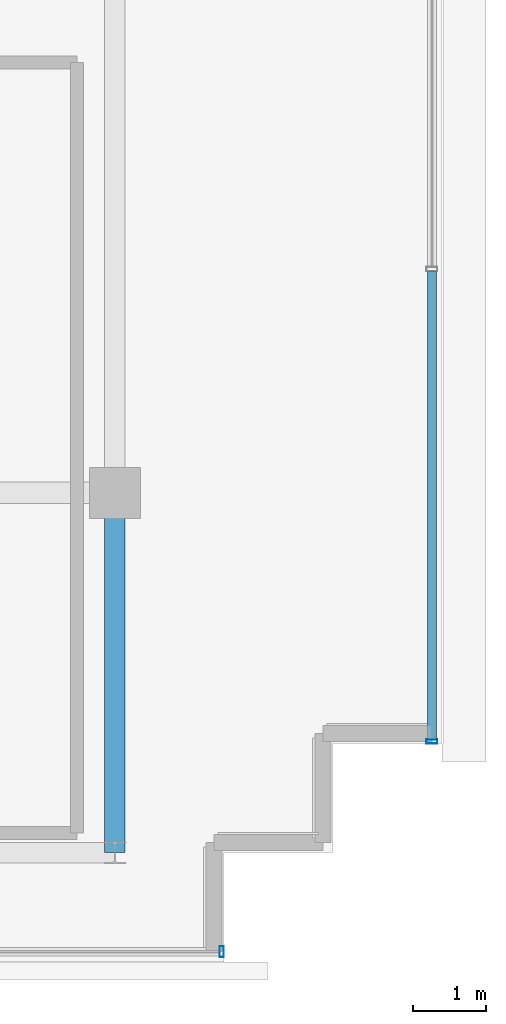
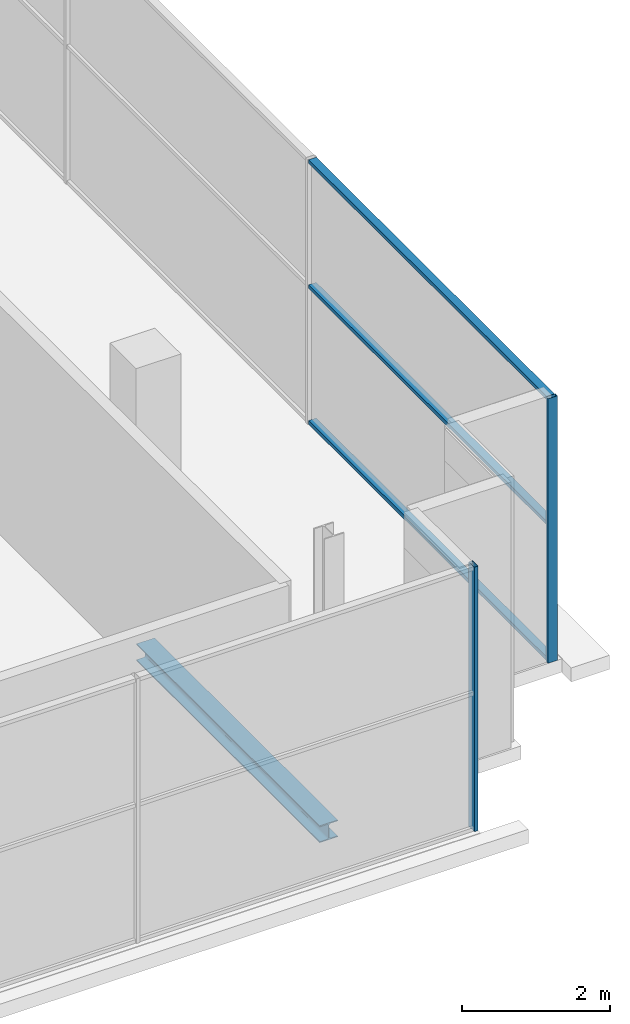
# One storey, part 15 of 26: 5 members, 1 beam, 2 elements without a shape of their own.
"""IFC4 building model written with IfcOpenShell, lengths in metres."""

from ifc_helpers import new_model, si_unit, direction, frame, origin, origin_2d, place, context, subcontext, project, spatial, hollow_rectangle, i_section, extrude, source, transform, mapped, material, layer, layer_set, material_profile, profile_set, type_object, element, aggregate, save


model = new_model("IFC4")

# Units and contexts
model_context = context("Model", 3, precision=1e-05, world=origin(), true_north=direction((0.0, 1.0)))
body_context = subcontext(model_context, "Body", "Model", "MODEL_VIEW")
ifc_project = project(units=[si_unit("LENGTHUNIT", "METRE"), si_unit("AREAUNIT", "SQUARE_METRE"), si_unit("VOLUMEUNIT", "CUBIC_METRE"), si_unit("PLANEANGLEUNIT", "RADIAN"), si_unit("MASSUNIT", "GRAM", prefix="KILO")], contexts=[model_context])

# Site, building, storey
site_placement = place(None, origin())
site = spatial("IfcSite", under=ifc_project, at=site_placement, CompositionType="ELEMENT")
building_placement = place(site_placement, origin())
building = spatial("IfcBuilding", under=site, at=building_placement, Name="Zarnakvel Exchange Tower", CompositionType="ELEMENT")
storey_placement = place(building_placement, frame((0.0, 0.0, 285.39990234375)))
storey = spatial("IfcBuildingStorey", under=building, at=storey_placement, Name="Crown L80", CompositionType="ELEMENT", Elevation=285.39990234375)

# Beam
ifc_material_1 = material(Name="Steel S355", Category="steel")
ifc_material_profile_1 = material_profile(ifc_material_1, i_section(OverallWidth=0.280029296875, OverallDepth=0.280029296875, WebThickness=0.010498046875, FlangeThickness=0.01806640625, FilletRadius=0.02392578125, at=origin_2d()))
ifc_profile_set_1 = profile_set([ifc_material_profile_1], Name="Steel S355")
beam_type = type_object("IfcBeamType", Name="SP-04", PredefinedType="SPANDREL", material=ifc_profile_set_1)
beam_placement = place(storey_placement, frame((14.39990234375, -14.550048828125, -0.35986328125), z_axis=(0.0, 1.0, 0.0), x_axis=(-1.0, 0.0, 0.0)))
element("IfcBeam", 1, at=beam_placement, inside=storey, type_object=beam_type, Name="Crown L80 Tower N-S Frame Beam", PredefinedType="SPANDREL", context=body_context, shape_type="SweptSolid", body=[
    extrude(i_section(OverallWidth=0.280029296875, OverallDepth=0.280029296875, WebThickness=0.010498046875, FlangeThickness=0.01806640625, FilletRadius=0.02392578125, at=origin_2d()), origin(), (0.0, 0.0, 1.0), 4.949951171875),
])

# Curtain wall, member
ifc_material_2 = material(Name="Architectural Bronze Anodised Aluminium", Category="aluminium")
ifc_layer = layer(ifc_material_2, 0.14990234375)
ifc_layer_set = layer_set([ifc_layer], Name="Architectural Bronze Anodised Aluminium")
curtain_wall_type = type_object("IfcCurtainWallType", Name="CW-07", PredefinedType="NOTDEFINED", material=ifc_layer_set)
curtain_wall_1_placement = place(storey_placement, origin())
curtain_wall_1 = element("IfcCurtainWall", 2, at=curtain_wall_1_placement, inside=storey, type_object=curtain_wall_type, Name="Crown L80 Curtain Wall CW-Crown L80-S (CW-07)", PredefinedType="NOTDEFINED")
ifc_material_profile_2 = material_profile(ifc_material_2, hollow_rectangle(XDim=0.14990234375, YDim=0.06005859375, WallThickness=0.00390625, at=origin_2d()))
ifc_profile_set_2 = profile_set([ifc_material_profile_2], Name="Architectural Bronze Anodised Aluminium")
member_type_1 = type_object("IfcMemberType", Name="CWM-07", PredefinedType="MULLION", material=ifc_profile_set_2)
shared_shape_1 = source(origin(), body_context, "Body", "SweptSolid", [
    extrude(hollow_rectangle(XDim=0.14990234375, YDim=0.06005859375, WallThickness=0.00390625, at=origin_2d()), origin(), (0.0, 0.0, 1.0), 4.360107421875),
])
member_1_placement = place(storey_placement, frame((15.8701171875, -15.909912109375, 0.0), z_axis=(0.0, 0.0, 1.0), x_axis=(0.0, 1.0, 0.0)))
member_1 = element("IfcMember", 3, at=member_1_placement, type_object=member_type_1, Name="CW-07 mullion 7", PredefinedType="MULLION", context=body_context, shape_type="MappedRepresentation", body=[
    mapped(shared_shape_1, transform((0.0, 0.0, 0.0), x_axis=(1.0, 0.0, 0.0), y_axis=(0.0, 1.0, 0.0), z_axis=(0.0, 0.0, 1.0), scale=1.0)),
])
aggregate(curtain_wall_1, [member_1])

# Curtain wall, members
curtain_wall_2_placement = place(storey_placement, origin())
curtain_wall_2 = element("IfcCurtainWall", 4, at=curtain_wall_2_placement, inside=storey, type_object=curtain_wall_type, Name="Crown L80 Curtain Wall CW-Crown L80-E (CW-07)", PredefinedType="NOTDEFINED")
member_2_placement = place(storey_placement, frame((18.760009765625, -13.02001953125, 0.0), z_axis=(0.0, 0.0, 1.0), x_axis=(-1.0, 0.0, 0.0)))
member_2 = element("IfcMember", 5, at=member_2_placement, type_object=member_type_1, Name="CW-07 mullion 1", PredefinedType="MULLION", context=body_context, shape_type="MappedRepresentation", body=[
    mapped(shared_shape_1, transform((0.0, 0.0, 0.0), x_axis=(1.0, 0.0, 0.0), y_axis=(0.0, 1.0, 0.0), z_axis=(0.0, 0.0, 1.0), scale=1.0)),
])
ifc_material_profile_3 = material_profile(ifc_material_2, hollow_rectangle(XDim=0.1201171875, YDim=0.06005859375, WallThickness=0.00390625, at=origin_2d()))
ifc_profile_set_3 = profile_set([ifc_material_profile_3], Name="Architectural Bronze Anodised Aluminium")
member_type_2 = type_object("IfcMemberType", Name="CWT-07", PredefinedType="USERDEFINED", material=ifc_profile_set_3)
shared_shape_2 = source(origin(), body_context, "Body", "SweptSolid", [
    extrude(hollow_rectangle(XDim=0.1201171875, YDim=0.06005859375, WallThickness=0.00390625, at=origin_2d()), origin(), (0.0, 0.0, 1.0), 6.43505859375),
])
member_3_placement = place(storey_placement, frame((18.760009765625, -12.989990234375, 0.030029296875), z_axis=(0.0, 1.0, 0.0), x_axis=(-1.0, 0.0, 0.0)))
member_3 = element("IfcMember", 6, at=member_3_placement, type_object=member_type_2, Name="CW-07 transom 1.1", ObjectType="TRANSOM", PredefinedType="USERDEFINED", context=body_context, shape_type="MappedRepresentation", body=[
    mapped(shared_shape_2, transform((0.0, 0.0, 0.0), x_axis=(1.0, 0.0, 0.0), y_axis=(0.0, 1.0, 0.0), z_axis=(0.0, 0.0, 1.0), scale=1.0)),
])
member_4_placement = place(storey_placement, frame((18.760009765625, -12.989990234375, 2.267333984375), z_axis=(0.0, 1.0, 0.0), x_axis=(-1.0, 0.0, 0.0)))
member_4 = element("IfcMember", 7, at=member_4_placement, type_object=member_type_2, Name="CW-07 transom 1.2", ObjectType="TRANSOM", PredefinedType="USERDEFINED", context=body_context, shape_type="MappedRepresentation", body=[
    mapped(shared_shape_2, transform((0.0, 0.0, 0.0), x_axis=(1.0, 0.0, 0.0), y_axis=(0.0, 1.0, 0.0), z_axis=(0.0, 0.0, 1.0), scale=1.0)),
])
member_5_placement = place(storey_placement, frame((18.760009765625, -12.989990234375, 4.330078125), z_axis=(0.0, 1.0, 0.0), x_axis=(-1.0, 0.0, 0.0)))
member_5 = element("IfcMember", 8, at=member_5_placement, type_object=member_type_2, Name="CW-07 transom 1.3", ObjectType="TRANSOM", PredefinedType="USERDEFINED", context=body_context, shape_type="MappedRepresentation", body=[
    mapped(shared_shape_2, transform((0.0, 0.0, 0.0), x_axis=(1.0, 0.0, 0.0), y_axis=(0.0, 1.0, 0.0), z_axis=(0.0, 0.0, 1.0), scale=1.0)),
])
aggregate(curtain_wall_2, [member_2, member_3, member_4, member_5])

save(model, "model.ifc")
